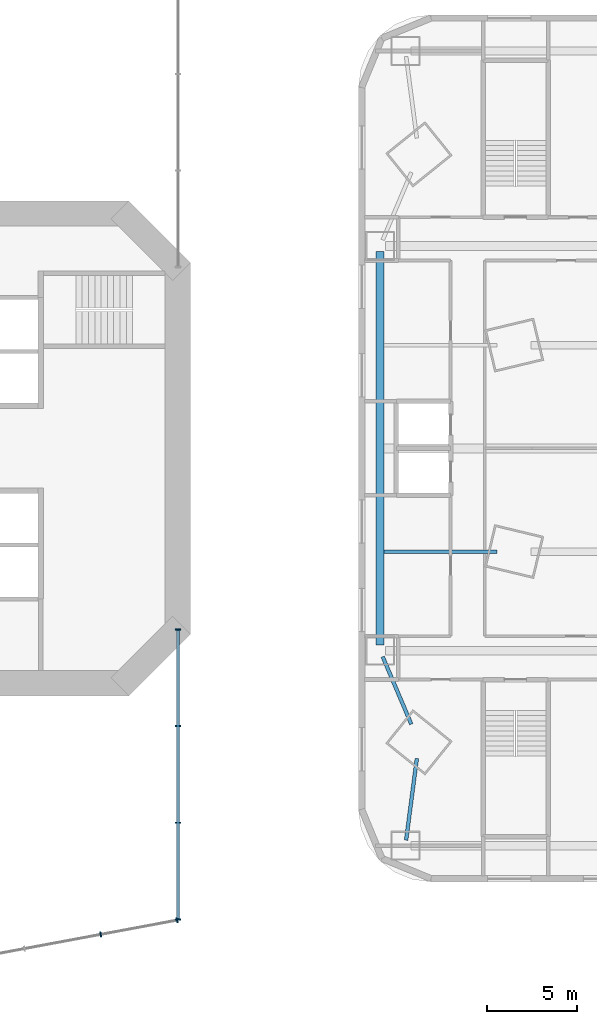
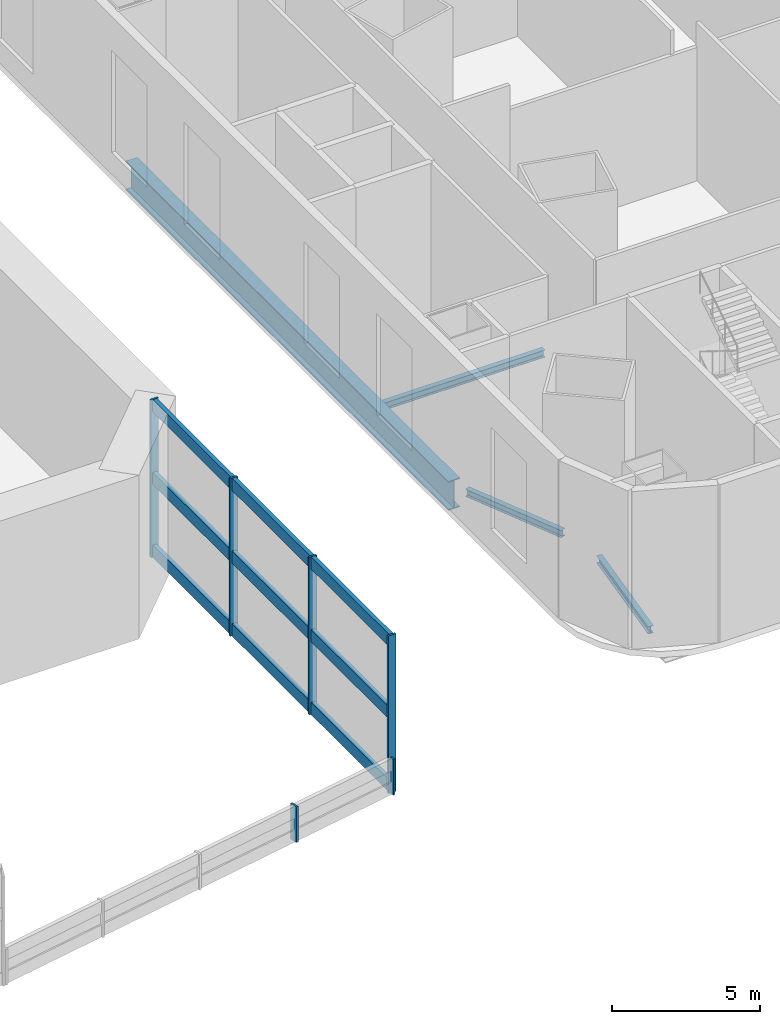
# One storey, part 5 of 19: 9 members, 4 beams, 2 elements without a shape of their own.
"""IFC4 building model written with IfcOpenShell, lengths in metres."""

from ifc_helpers import new_model, si_unit, direction, frame, origin, origin_2d, place, context, subcontext, project, spatial, rectangle, i_section, extrude, material, material_profile, profile_set, type_object, element, aggregate, save


model = new_model("IFC4")

# Units and contexts
model_context = context("Model", 3, precision=1e-05, world=origin(), true_north=direction((0.0, 1.0)))
body_context = subcontext(model_context, "Body", "Model", "MODEL_VIEW")
ifc_project = project(units=[si_unit("LENGTHUNIT", "METRE"), si_unit("AREAUNIT", "SQUARE_METRE"), si_unit("VOLUMEUNIT", "CUBIC_METRE"), si_unit("PLANEANGLEUNIT", "RADIAN"), si_unit("MASSUNIT", "GRAM", prefix="KILO")], contexts=[model_context])

# Site, building, storey
site_placement = place(None, origin())
site = spatial("IfcSite", under=ifc_project, at=site_placement, CompositionType="ELEMENT")
building_placement = place(site_placement, origin())
building = spatial("IfcBuilding", under=site, at=building_placement, Name="Marenthal Gate Tower", CompositionType="ELEMENT")
storey_placement = place(building_placement, frame((0.0, 0.0, 19.0)))
storey = spatial("IfcBuildingStorey", under=building, at=storey_placement, Name="L02", CompositionType="ELEMENT", Elevation=19.0)

# Curtain wall, members
ifc_material_1 = material(Name="Aluminium and glass", Category="aluminium")
curtain_wall_type = type_object("IfcCurtainWallType", Name="Curtain wall arch infill", PredefinedType="NOTDEFINED", material=ifc_material_1)
curtain_wall_1_placement = place(storey_placement, origin())
curtain_wall_1 = element("IfcCurtainWall", 1, at=curtain_wall_1_placement, inside=storey, type_object=curtain_wall_type, Name="Curtain wall L02 arch S4", PredefinedType="NOTDEFINED")
ifc_material_2 = material(Name="Aluminium", Category="aluminium")
ifc_material_profile_1 = material_profile(ifc_material_2, rectangle(XDim=0.300048828125, YDim=0.080078125, at=origin_2d()), Name="80x300 aluminium mullion")
ifc_profile_set_1 = profile_set([ifc_material_profile_1], Name="Aluminium")
member_type_1 = type_object("IfcMemberType", Name="Mullion 80x300 arch infill", PredefinedType="MULLION", material=ifc_profile_set_1)
member_1_placement = place(storey_placement, frame((11.730224609375, -26.913818359375, 0.0), z_axis=(0.0, 0.0, 1.0), x_axis=(-0.183356787375, 0.983046432537, 0.0)))
member_1 = element("IfcMember", 2, at=member_1_placement, type_object=member_type_1, Name="Mullion L02 arch S4.4", PredefinedType="MULLION", context=body_context, shape_type="SweptSolid", body=[
    extrude(rectangle(XDim=0.300048828125, YDim=0.080078125, at=origin_2d()), origin(), (0.0, 0.0, 1.0), 1.47509765625),
])
member_2_placement = place(storey_placement, frame((15.960693359375, -26.124755859375, 0.0), z_axis=(0.0, 0.0, 1.0), x_axis=(-0.183356787375, 0.983046432537, 0.0)))
member_2 = element("IfcMember", 3, at=member_2_placement, type_object=member_type_1, Name="Mullion L02 arch S4.5", PredefinedType="MULLION", context=body_context, shape_type="SweptSolid", body=[
    extrude(rectangle(XDim=0.300048828125, YDim=0.080078125, at=origin_2d()), origin(), (0.0, 0.0, 1.0), 1.47509765625),
])
aggregate(curtain_wall_1, [member_1, member_2])

curtain_wall_2_placement = place(storey_placement, origin())
curtain_wall_2 = element("IfcCurtainWall", 4, at=curtain_wall_2_placement, inside=storey, type_object=curtain_wall_type, Name="Curtain wall L02 hall SE1", PredefinedType="NOTDEFINED")
member_3_placement = place(storey_placement, frame((16.0, -10.0400390625, 0.0), z_axis=(0.0, 0.0, 1.0), x_axis=(1.0, 0.0, 0.0)))
member_3 = element("IfcMember", 5, at=member_3_placement, type_object=member_type_1, Name="Mullion L02 hall SE1.1", PredefinedType="MULLION", context=body_context, shape_type="SweptSolid", body=[
    extrude(rectangle(XDim=0.300048828125, YDim=0.080078125, at=origin_2d()), origin(), (0.0, 0.0, 1.0), 6.5),
])
member_4_placement = place(storey_placement, frame((16.0, -15.3857421875, 0.0), z_axis=(0.0, 0.0, 1.0), x_axis=(1.0, 0.0, 0.0)))
member_4 = element("IfcMember", 6, at=member_4_placement, type_object=member_type_1, Name="Mullion L02 hall SE1.2", PredefinedType="MULLION", context=body_context, shape_type="SweptSolid", body=[
    extrude(rectangle(XDim=0.300048828125, YDim=0.080078125, at=origin_2d()), origin(), (0.0, 0.0, 1.0), 6.5),
])
member_5_placement = place(storey_placement, frame((16.0, -20.731689453125, 0.0), z_axis=(0.0, 0.0, 1.0), x_axis=(1.0, 0.0, 0.0)))
member_5 = element("IfcMember", 7, at=member_5_placement, type_object=member_type_1, Name="Mullion L02 hall SE1.3", PredefinedType="MULLION", context=body_context, shape_type="SweptSolid", body=[
    extrude(rectangle(XDim=0.300048828125, YDim=0.080078125, at=origin_2d()), origin(), (0.0, 0.0, 1.0), 6.5),
])
member_6_placement = place(storey_placement, frame((16.0, -26.077392578125, 0.0), z_axis=(0.0, 0.0, 1.0), x_axis=(1.0, 0.0, 0.0)))
member_6 = element("IfcMember", 8, at=member_6_placement, type_object=member_type_1, Name="Mullion L02 hall SE1.4", PredefinedType="MULLION", context=body_context, shape_type="SweptSolid", body=[
    extrude(rectangle(XDim=0.300048828125, YDim=0.080078125, at=origin_2d()), origin(), (0.0, 0.0, 1.0), 6.5),
])

# Beam
ifc_material_3 = material(Name="Steel S355", Category="steel")
ifc_material_profile_2 = material_profile(ifc_material_3, i_section(OverallWidth=0.449951171875, OverallDepth=1.199951171875, WebThickness=0.02197265625, FlangeThickness=0.0400390625, at=origin_2d()), Name="PLATE GIRDER 1200X450X22X40")
ifc_profile_set_2 = profile_set([ifc_material_profile_2], Name="Steel S355")
beam_type_1 = type_object("IfcBeamType", Name="PLATE GIRDER 1200X450X22X40 beam", PredefinedType="BEAM", material=ifc_profile_set_2)
beam_1_placement = place(storey_placement, frame((27.199951171875, -10.89990234375, -0.85009765625), z_axis=(0.0, 1.0, 0.0), x_axis=(-1.0, 0.0, 0.0)))
element("IfcBeam", 9, at=beam_1_placement, inside=storey, type_object=beam_type_1, Name="BM-L02-104", PredefinedType="BEAM", context=body_context, shape_type="SweptSolid", body=[
    extrude(i_section(OverallWidth=0.449951171875, OverallDepth=1.199951171875, WebThickness=0.02197265625, FlangeThickness=0.0400390625, at=origin_2d()), origin(), (0.0, 0.0, 1.0), 21.7998046875),
])

# Member
ifc_material_4 = material(Name="Aluminium", Category="aluminium")
ifc_material_profile_3 = material_profile(ifc_material_4, rectangle(XDim=0.159912109375, YDim=0.5, at=origin_2d()), Name="160x500 aluminium transom")
ifc_profile_set_3 = profile_set([ifc_material_profile_3], Name="Aluminium")
member_type_2 = type_object("IfcMemberType", Name="Transom 160x500 arch infill", PredefinedType="USERDEFINED", material=ifc_profile_set_3)
member_7_placement = place(storey_placement, frame((16.0, -10.080078125, 0.25), z_axis=(0.0, -1.0, 0.0), x_axis=(1.0, 0.0, 0.0)))
member_7 = element("IfcMember", 10, at=member_7_placement, type_object=member_type_2, Name="Transom L02 hall SE1.1", ObjectType="TRANSOM", PredefinedType="USERDEFINED", context=body_context, shape_type="SweptSolid", body=[
    extrude(rectangle(XDim=0.159912109375, YDim=0.5, at=origin_2d()), origin(), (0.0, 0.0, 1.0), 15.957275390625),
])

member_8_placement = place(storey_placement, frame((16.0, -10.080078125, 3.25), z_axis=(0.0, -1.0, 0.0), x_axis=(1.0, 0.0, 0.0)))
member_8 = element("IfcMember", 11, at=member_8_placement, type_object=member_type_2, Name="Transom L02 hall SE1.2", ObjectType="TRANSOM", PredefinedType="USERDEFINED", context=body_context, shape_type="SweptSolid", body=[
    extrude(rectangle(XDim=0.159912109375, YDim=0.5, at=origin_2d()), origin(), (0.0, 0.0, 1.0), 15.957275390625),
])

member_9_placement = place(storey_placement, frame((16.0, -10.080078125, 6.25), z_axis=(0.0, -1.0, 0.0), x_axis=(1.0, 0.0, 0.0)))
member_9 = element("IfcMember", 12, at=member_9_placement, type_object=member_type_2, Name="Transom L02 hall SE1.3", ObjectType="TRANSOM", PredefinedType="USERDEFINED", context=body_context, shape_type="SweptSolid", body=[
    extrude(rectangle(XDim=0.159912109375, YDim=0.5, at=origin_2d()), origin(), (0.0, 0.0, 1.0), 15.957275390625),
])

aggregate(curtain_wall_2, [member_3, member_4, member_5, member_6, member_7, member_8, member_9])

# Beams
ifc_material_5 = material(Name="Steel S355", Category="steel")
ifc_material_profile_4 = material_profile(ifc_material_5, i_section(OverallWidth=0.202880859375, OverallDepth=0.302001953125, WebThickness=0.007568359375, FlangeThickness=0.01318359375, FilletRadius=0.0126953125, at=origin_2d()), Name="W310X60")
ifc_profile_set_4 = profile_set([ifc_material_profile_4], Name="Steel S355")
beam_type_2 = type_object("IfcBeamType", Name="W310X60 beam", PredefinedType="BEAM", material=ifc_profile_set_4)
beam_2_placement = place(storey_placement, frame((27.425048828125, -5.716064453125, -0.40087890625), z_axis=(1.0, 0.0, 0.0), x_axis=(0.0, 1.0, 0.0)))
element("IfcBeam", 13, at=beam_2_placement, inside=storey, type_object=beam_type_2, Name="BM-L02-107", PredefinedType="BEAM", context=body_context, shape_type="SweptSolid", body=[
    extrude(i_section(OverallWidth=0.202880859375, OverallDepth=0.302001953125, WebThickness=0.007568359375, FlangeThickness=0.01318359375, FilletRadius=0.0126953125, at=origin_2d()), origin(), (0.0, 0.0, 1.0), 6.2568359375),
])
beam_3_placement = place(storey_placement, frame((27.34375, -11.53955078125, -0.40087890625), z_axis=(0.390030578719, -0.920801904681, 0.0), x_axis=(0.920801904681, 0.390030578719, 0.0)))
element("IfcBeam", 14, at=beam_3_placement, inside=storey, type_object=beam_type_2, Name="BM-L02-116", PredefinedType="BEAM", context=body_context, shape_type="SweptSolid", body=[
    extrude(i_section(OverallWidth=0.202880859375, OverallDepth=0.302001953125, WebThickness=0.007568359375, FlangeThickness=0.01318359375, FilletRadius=0.0126953125, at=origin_2d()), origin(), (0.0, 0.0, 1.0), 4.057373046875),
])
beam_4_placement = place(storey_placement, frame((29.233154296875, -17.17578125, -0.40087890625), z_axis=(-0.130135880417, -0.991496168741, 0.0), x_axis=(0.991496168741, -0.130135880417, 0.0)))
element("IfcBeam", 15, at=beam_4_placement, inside=storey, type_object=beam_type_2, Name="BM-L02-117", PredefinedType="BEAM", context=body_context, shape_type="SweptSolid", body=[
    extrude(i_section(OverallWidth=0.202880859375, OverallDepth=0.302001953125, WebThickness=0.007568359375, FlangeThickness=0.01318359375, FilletRadius=0.0126953125, at=origin_2d()), origin(), (0.0, 0.0, 1.0), 4.558837890625),
])

save(model, "model.ifc")
